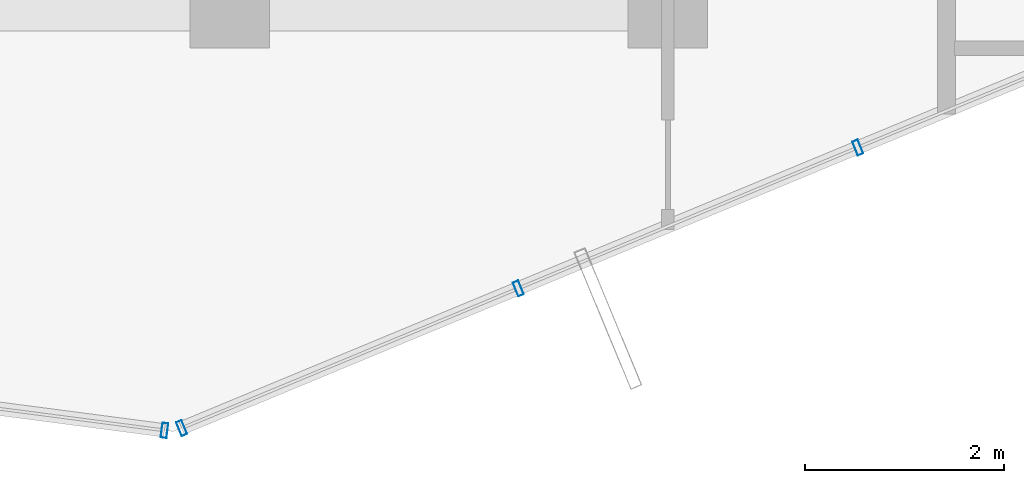
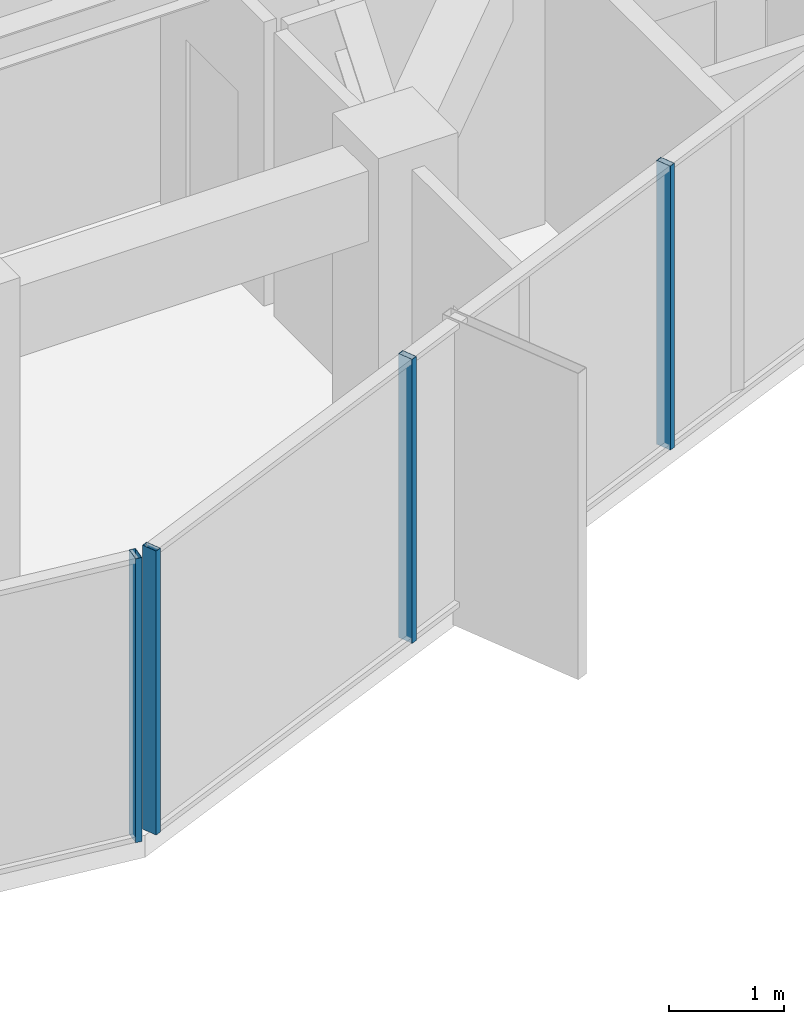
# One storey, part 8 of 31: 4 members, 2 elements without a shape of their own.
"""IFC4 building model written with IfcOpenShell, lengths in metres."""

import ifcopenshell
import ifcopenshell.guid

model = None  # the IFC model being written
_history = None  # IfcOwnerHistory: only IFC2X3 demands one
_inside = {}  # id of a spatial element -> (the spatial element, [elements in it])
_under = {}  # id of a project, library or spatial element -> (it, [spatial elements below it])
_declared = {}  # id of a project -> (the project, [libraries it declares])
_typed = {}  # id of a type object -> (the type object, [elements of that type])
_made_of = {}  # id of a material, layer set ... -> (it, [elements and type objects made of it])


def new_model(schema):
    """Start an empty IFC model of exactly this schema.

    Asked for "IFC4X3", IfcOpenShell would pick the latest addendum, in which some entities
    have other attributes; the version numbers below select the first issue.
    IFC2X3 requires an IfcOwnerHistory on every rooted entity: one is made here for all.
    """
    global model, _history
    if schema == "IFC4X3":
        model = ifcopenshell.file(schema_version=(4, 3, 0, 0))
    else:
        model = ifcopenshell.file(schema=schema)
    _inside.clear()
    _under.clear()
    _declared.clear()
    _typed.clear()
    _made_of.clear()
    _history = None
    if model.schema == "IFC2X3":
        org = make("IfcOrganization", Name="unknown")
        user = make(
            "IfcPersonAndOrganization",
            ThePerson=make("IfcPerson", FamilyName="unknown"),
            TheOrganization=org,
        )
        app = make(
            "IfcApplication",
            ApplicationDeveloper=org,
            Version="unknown",
            ApplicationFullName="unknown",
            ApplicationIdentifier="unknown",
        )
        _history = make(
            "IfcOwnerHistory",
            OwningUser=user,
            OwningApplication=app,
            ChangeAction="ADDED",
            CreationDate=0,
        )
    return model


def make(cls, **values):
    """One entity of the class cls with the attributes given. An attribute that is None is left unset."""
    return model.create_entity(
        cls, **{name: value for name, value in values.items() if value is not None}
    )


def rooted(cls, **values):
    """An entity with a GlobalId (a new one), such as an element, a storey or a relation."""
    return make(cls, GlobalId=ifcopenshell.guid.new(), OwnerHistory=_history, **values)


def si_unit(unit_type, name, prefix=None):
    """IfcSIUnit, for example si_unit("LENGTHUNIT", "METRE", prefix="MILLI")."""
    return make("IfcSIUnit", UnitType=unit_type, Prefix=prefix, Name=name)


def assignment(units):
    """IfcUnitAssignment: the units of a project."""
    return None if units is None else make("IfcUnitAssignment", Units=units)


def point(xyz):
    """IfcCartesianPoint."""
    return None if xyz is None else make("IfcCartesianPoint", Coordinates=xyz)


def direction(xyz):
    """IfcDirection."""
    return None if xyz is None else make("IfcDirection", DirectionRatios=xyz)


def frame(location, z_axis=None, x_axis=None):
    """IfcAxis2Placement3D, a coordinate frame: its origin and axes. An axis left out is left unset."""
    return make(
        "IfcAxis2Placement3D",
        Location=point(location),
        Axis=direction(z_axis),
        RefDirection=direction(x_axis),
    )


def frame_2d(location, x_axis=None):
    """IfcAxis2Placement2D, a coordinate frame in the plane: its origin and x axis."""
    return make(
        "IfcAxis2Placement2D", Location=point(location), RefDirection=direction(x_axis)
    )


def origin():
    """The frame at (0, 0, 0) with its axes left unset."""
    return frame((0.0, 0.0, 0.0))


def origin_2d():
    """The frame at (0, 0) in the plane with its x axis left unset."""
    return frame_2d((0.0, 0.0))


def place(relative_to, where):
    """IfcLocalPlacement: puts the frame where relative to a parent placement (None: the world)."""
    return make(
        "IfcLocalPlacement", PlacementRelTo=relative_to, RelativePlacement=where
    )


def context(
    kind, dimensions, precision=None, world=None, true_north=None, identifier=None
):
    """IfcGeometricRepresentationContext, for example the 3D "Model" context."""
    return make(
        "IfcGeometricRepresentationContext",
        ContextIdentifier=identifier,
        ContextType=kind,
        CoordinateSpaceDimension=dimensions,
        Precision=precision,
        WorldCoordinateSystem=world,
        TrueNorth=true_north,
    )


def subcontext(parent, identifier, kind, view, scale=None):
    """IfcGeometricRepresentationSubContext, for example "Body" below "Model"."""
    return make(
        "IfcGeometricRepresentationSubContext",
        ContextIdentifier=identifier,
        ContextType=kind,
        ParentContext=parent,
        TargetScale=scale,
        TargetView=view,
    )


def project(units=None, contexts=None):
    """IfcProject with its units and contexts."""
    return rooted(
        "IfcProject",
        Name="project",
        RepresentationContexts=contexts,
        UnitsInContext=assignment(units),
    )


def spatial(cls, under=None, at=None, **own):
    """A site, building, storey or space (cls), placed at a placement, below another one or the project."""
    s = rooted(cls, ObjectPlacement=at, **own)
    if under is not None:
        _under.setdefault(under.id(), (under, []))[1].append(s)
    return s


def profile(cls, at=None, kind="AREA", **sizes):
    """A parametric profile (cls). Its sizes go by their IFC names, for example OverallWidth=200.0."""
    return make(cls, ProfileType=kind, Position=at, **sizes)


def hollow_rectangle(**sizes):
    """IfcRectangleHollowProfileDef."""
    return profile("IfcRectangleHollowProfileDef", **sizes)


def extrude(swept, where, along, depth):
    """IfcExtrudedAreaSolid: the profile swept, set in the frame where, extruded along a direction by depth."""
    return make(
        "IfcExtrudedAreaSolid",
        SweptArea=swept,
        Position=where,
        ExtrudedDirection=direction(along),
        Depth=depth,
    )


def shape(context_of_items, identifier, shape_type, items):
    """IfcShapeRepresentation: the items that make up one representation, for example the "Body"."""
    return make(
        "IfcShapeRepresentation",
        ContextOfItems=context_of_items,
        RepresentationIdentifier=identifier,
        RepresentationType=shape_type,
        Items=items,
    )


def source(mapping_origin, context_of_items, identifier, shape_type, items):
    """IfcRepresentationMap: a shape defined once, which mapped items show again and again."""
    return make(
        "IfcRepresentationMap",
        MappingOrigin=mapping_origin,
        MappedRepresentation=shape(context_of_items, identifier, shape_type, items),
    )


def transform(
    local_origin,
    x_axis=None,
    y_axis=None,
    z_axis=None,
    scale=None,
    scale2=None,
    scale3=None,
    uniform=True,
):
    """IfcCartesianTransformationOperator3D, or its non-uniform kind. x_axis, y_axis, z_axis: its Axis1, 2, 3."""
    if uniform:
        return make(
            "IfcCartesianTransformationOperator3D",
            Axis1=direction(x_axis),
            Axis2=direction(y_axis),
            LocalOrigin=point(local_origin),
            Scale=scale,
            Axis3=direction(z_axis),
        )
    return make(
        "IfcCartesianTransformationOperator3DnonUniform",
        Axis1=direction(x_axis),
        Axis2=direction(y_axis),
        LocalOrigin=point(local_origin),
        Scale=scale,
        Axis3=direction(z_axis),
        Scale2=scale2,
        Scale3=scale3,
    )


def mapped(mapping_source, mapping_target):
    """IfcMappedItem: shows the shape of a source again, moved by a transform."""
    return make(
        "IfcMappedItem", MappingSource=mapping_source, MappingTarget=mapping_target
    )


def material(Name=None, Category=None):
    """IfcMaterial."""
    return make("IfcMaterial", Name=Name, Category=Category)


def layer(
    of_material, thickness, ventilated=None, Name=None, Category=None, Priority=None
):
    """IfcMaterialLayer: one layer of a wall or slab, of a material (None: an air gap)."""
    return make(
        "IfcMaterialLayer",
        Material=of_material,
        LayerThickness=thickness,
        IsVentilated=ventilated,
        Name=Name,
        Category=Category,
        Priority=Priority,
    )


def layer_set(layers, Name=None):
    """IfcMaterialLayerSet."""
    return make("IfcMaterialLayerSet", MaterialLayers=layers, LayerSetName=Name)


def material_profile(
    of_material, cross_section, Name=None, Category=None, Priority=None
):
    """IfcMaterialProfile: a cross section and its material."""
    return make(
        "IfcMaterialProfile",
        Name=Name,
        Material=of_material,
        Profile=cross_section,
        Priority=Priority,
        Category=Category,
    )


def profile_set(profiles, Name=None, composite=None):
    """IfcMaterialProfileSet."""
    return make(
        "IfcMaterialProfileSet",
        Name=Name,
        MaterialProfiles=profiles,
        CompositeProfile=composite,
    )


def made_of(thing, what):
    """Note that an element or type object is made of a material, layer set ...; save() writes the relation."""
    if what is not None:
        _made_of.setdefault(what.id(), (what, []))[1].append(thing)
    return thing


def type_object(cls, material=None, **own):
    """A type object (cls), such as IfcWallType, which elements share."""
    return made_of(rooted(cls, **own), material)


def element(
    cls,
    number,
    at=None,
    inside=None,
    cuts=None,
    type_object=None,
    material=None,
    context=None,
    identifier="Body",
    shape_type=None,
    held_by="IfcProductDefinitionShape",
    body=None,
    shapes=None,
    **own,
):
    """One element of the class cls, such as IfcWall. Its Tag is "e" and its number.

    at: its placement. inside: the storey or other place that contains it. cuts: it is an
    opening in that element (IfcRelVoidsElement). A single representation is given by context,
    identifier, shape_type and body (its items); several are given by shapes. held_by: the class
    of the entity that holds the representations. save() writes the other relations.
    """
    e = rooted(cls, Tag="e%d" % number, ObjectPlacement=at, **own)
    if body is not None:
        shapes = [shape(context, identifier, shape_type, body)]
    if shapes is not None:
        e.Representation = make(held_by, Representations=shapes)
    if inside is not None:
        _inside.setdefault(inside.id(), (inside, []))[1].append(e)
    if cuts is not None:
        rooted(
            "IfcRelVoidsElement", RelatingBuildingElement=cuts, RelatedOpeningElement=e
        )
    if type_object is not None:
        _typed.setdefault(type_object.id(), (type_object, []))[1].append(e)
    return made_of(e, material)


def aggregate(whole, parts):
    """IfcRelAggregates: a whole, such as a stair, and the parts it consists of."""
    return rooted("IfcRelAggregates", RelatingObject=whole, RelatedObjects=parts)


def save(model, path):
    """Write the relations noted so far, then the file.

    IfcRelAggregates (storeys below a building ...), IfcRelContainedInSpatialStructure (elements
    in a storey), IfcRelDefinesByType, IfcRelAssociatesMaterial and IfcRelDeclares: one each for
    every whole, place, type object, material and project.
    """
    for whole, parts in _under.values():
        aggregate(whole, parts)
    for where, things in _inside.values():
        rooted(
            "IfcRelContainedInSpatialStructure",
            RelatedElements=things,
            RelatingStructure=where,
        )
    for kind, things in _typed.values():
        rooted("IfcRelDefinesByType", RelatedObjects=things, RelatingType=kind)
    for what, things in _made_of.values():
        rooted("IfcRelAssociatesMaterial", RelatedObjects=things, RelatingMaterial=what)
    for by, libraries in _declared.values():
        rooted("IfcRelDeclares", RelatingContext=by, RelatedDefinitions=libraries)
    model.write(path)


model = new_model("IFC4")

# Units and contexts
model_context = context("Model", 3, precision=1e-05, world=origin(), true_north=direction((0.0, 1.0)))
body_context = subcontext(model_context, "Body", "Model", "MODEL_VIEW")
ifc_project = project(units=[si_unit("LENGTHUNIT", "METRE"), si_unit("AREAUNIT", "SQUARE_METRE"), si_unit("VOLUMEUNIT", "CUBIC_METRE"), si_unit("PLANEANGLEUNIT", "RADIAN"), si_unit("MASSUNIT", "GRAM", prefix="KILO")], contexts=[model_context])

# Site, building, storey
site_placement = place(None, origin())
site = spatial("IfcSite", under=ifc_project, at=site_placement, CompositionType="ELEMENT")
building_placement = place(site_placement, origin())
building = spatial("IfcBuilding", under=site, at=building_placement, Name="Veraguas Prism Commons", CompositionType="ELEMENT")
storey_placement = place(building_placement, frame((0.0, 0.0, 233.300048828125)))
storey = spatial("IfcBuildingStorey", under=building, at=storey_placement, Name="L66", CompositionType="ELEMENT", Elevation=233.300048828125)

# Curtain wall, members
ifc_material = material(Name="Anodised aluminium EN AW-6063 T6", Category="aluminium")
ifc_layer = layer(ifc_material, 0.14990234375, Name="Unitised Flush Curtain Wall Zone 4", Category="aluminium")
ifc_layer_set = layer_set([ifc_layer], Name="Anodised aluminium EN AW-6063 T6")
curtain_wall_type = type_object("IfcCurtainWallType", Name="Unitised Flush Curtain Wall Zone 4", PredefinedType="NOTDEFINED", material=ifc_layer_set)
curtain_wall_1_placement = place(storey_placement, origin())
curtain_wall_1 = element("IfcCurtainWall", 1, at=curtain_wall_1_placement, inside=storey, type_object=curtain_wall_type, Name="Tower Facade Curtain Wall L66-F5", PredefinedType="NOTDEFINED")
ifc_material_profile = material_profile(ifc_material, hollow_rectangle(XDim=0.06005859375, YDim=0.14990234375, WallThickness=0.0029296875, at=origin_2d()), Name="AL60X150X3")
ifc_profile_set = profile_set([ifc_material_profile], Name="Anodised aluminium EN AW-6063 T6")
member_type = type_object("IfcMemberType", Name="Curtain Wall Mullion Upper AL 60x150x3", PredefinedType="MULLION", material=ifc_profile_set)
shared_shape = source(origin(), body_context, "Body", "SweptSolid", [
    extrude(hollow_rectangle(XDim=0.06005859375, YDim=0.14990234375, WallThickness=0.0029296875, at=origin_2d()), origin(), (0.0, 0.0, 1.0), 3.014892578125),
])
member_1_placement = place(storey_placement, frame((23.515869140625, 5.98388671875, 0.0), z_axis=(0.0, 0.0, 1.0), x_axis=(0.923614820068, 0.383321880606, 0.0)))
member_1 = element("IfcMember", 2, at=member_1_placement, type_object=member_type, Name="CW-Z4 Mullion 1", PredefinedType="MULLION", context=body_context, shape_type="MappedRepresentation", body=[
    mapped(shared_shape, transform((0.0, 0.0, 0.0), scale=1.0)),
])
member_2_placement = place(storey_placement, frame((26.897705078125, 7.387451171875, 0.0), z_axis=(0.0, 0.0, 1.0), x_axis=(0.923614820068, 0.383321880606, 0.0)))
member_2 = element("IfcMember", 3, at=member_2_placement, type_object=member_type, Name="CW-Z4 Mullion 2", PredefinedType="MULLION", context=body_context, shape_type="MappedRepresentation", body=[
    mapped(shared_shape, transform((0.0, 0.0, 0.0), scale=1.0)),
])
member_3_placement = place(storey_placement, frame((30.307373046875, 8.802490234375, 0.0), z_axis=(0.0, 0.0, 1.0), x_axis=(0.923614820068, 0.383321880606, 0.0)))
member_3 = element("IfcMember", 4, at=member_3_placement, type_object=member_type, Name="CW-Z4 Mullion 3", PredefinedType="MULLION", context=body_context, shape_type="MappedRepresentation", body=[
    mapped(shared_shape, transform((0.0, 0.0, 0.0), scale=1.0)),
])
aggregate(curtain_wall_1, [member_1, member_2, member_3])

# Curtain wall, member
curtain_wall_2_placement = place(storey_placement, origin())
curtain_wall_2 = element("IfcCurtainWall", 5, at=curtain_wall_2_placement, inside=storey, type_object=curtain_wall_type, Name="Chamfer Curtain Wall L66-C5", PredefinedType="NOTDEFINED")
member_4_placement = place(storey_placement, frame((23.343505859375, 5.9609375, 0.0), z_axis=(0.0, 0.0, 1.0), x_axis=(0.991537556958, -0.129820156917, 0.0)))
member_4 = element("IfcMember", 6, at=member_4_placement, type_object=member_type, Name="CW-Z4 Mullion 2", PredefinedType="MULLION", context=body_context, shape_type="MappedRepresentation", body=[
    mapped(shared_shape, transform((0.0, 0.0, 0.0), scale=1.0)),
])
aggregate(curtain_wall_2, [member_4])

save(model, "model.ifc")
